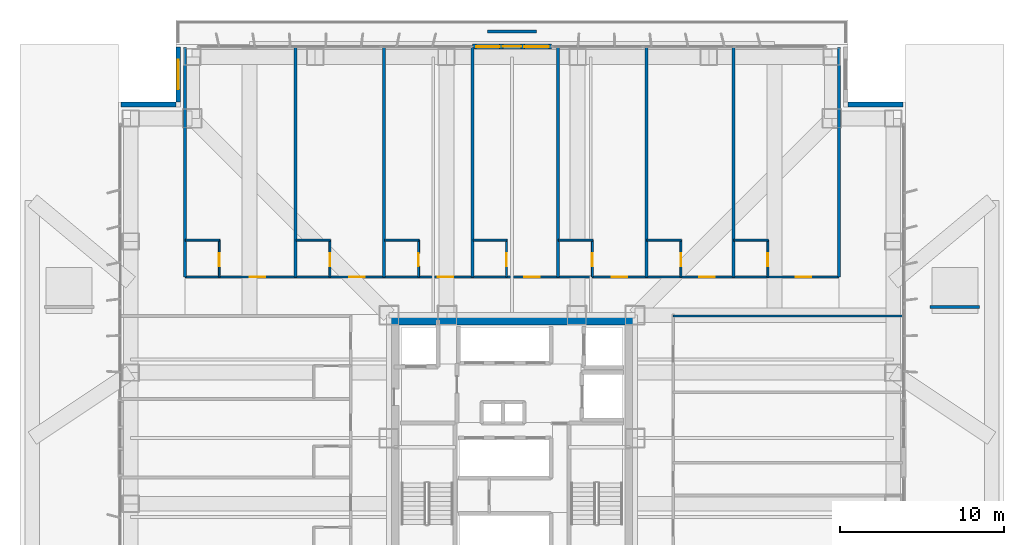
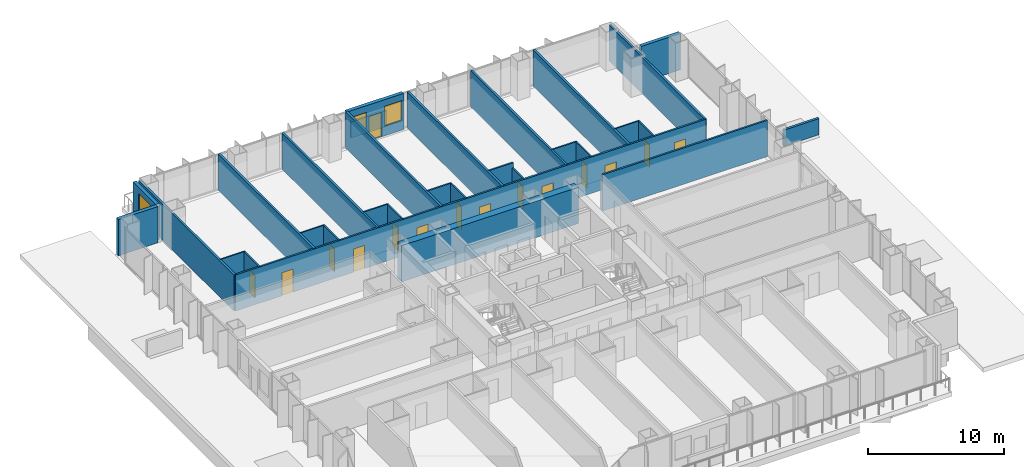
# One storey, part 18 of 24: 31 walls, 15 doors, 3 windows, 18 openings.
"""IFC4 building model written with IfcOpenShell, lengths in metres."""

import ifcopenshell
import ifcopenshell.guid

model = None  # the IFC model being written
_history = None  # IfcOwnerHistory: only IFC2X3 demands one
_inside = {}  # id of a spatial element -> (the spatial element, [elements in it])
_under = {}  # id of a project, library or spatial element -> (it, [spatial elements below it])
_declared = {}  # id of a project -> (the project, [libraries it declares])
_typed = {}  # id of a type object -> (the type object, [elements of that type])
_made_of = {}  # id of a material, layer set ... -> (it, [elements and type objects made of it])


def new_model(schema):
    """Start an empty IFC model of exactly this schema.

    Asked for "IFC4X3", IfcOpenShell would pick the latest addendum, in which some entities
    have other attributes; the version numbers below select the first issue.
    IFC2X3 requires an IfcOwnerHistory on every rooted entity: one is made here for all.
    """
    global model, _history
    if schema == "IFC4X3":
        model = ifcopenshell.file(schema_version=(4, 3, 0, 0))
    else:
        model = ifcopenshell.file(schema=schema)
    _inside.clear()
    _under.clear()
    _declared.clear()
    _typed.clear()
    _made_of.clear()
    _history = None
    if model.schema == "IFC2X3":
        org = make("IfcOrganization", Name="unknown")
        user = make(
            "IfcPersonAndOrganization",
            ThePerson=make("IfcPerson", FamilyName="unknown"),
            TheOrganization=org,
        )
        app = make(
            "IfcApplication",
            ApplicationDeveloper=org,
            Version="unknown",
            ApplicationFullName="unknown",
            ApplicationIdentifier="unknown",
        )
        _history = make(
            "IfcOwnerHistory",
            OwningUser=user,
            OwningApplication=app,
            ChangeAction="ADDED",
            CreationDate=0,
        )
    return model


def make(cls, **values):
    """One entity of the class cls with the attributes given. An attribute that is None is left unset."""
    return model.create_entity(
        cls, **{name: value for name, value in values.items() if value is not None}
    )


def rooted(cls, **values):
    """An entity with a GlobalId (a new one), such as an element, a storey or a relation."""
    return make(cls, GlobalId=ifcopenshell.guid.new(), OwnerHistory=_history, **values)


def si_unit(unit_type, name, prefix=None):
    """IfcSIUnit, for example si_unit("LENGTHUNIT", "METRE", prefix="MILLI")."""
    return make("IfcSIUnit", UnitType=unit_type, Prefix=prefix, Name=name)


def assignment(units):
    """IfcUnitAssignment: the units of a project."""
    return None if units is None else make("IfcUnitAssignment", Units=units)


def point(xyz):
    """IfcCartesianPoint."""
    return None if xyz is None else make("IfcCartesianPoint", Coordinates=xyz)


def direction(xyz):
    """IfcDirection."""
    return None if xyz is None else make("IfcDirection", DirectionRatios=xyz)


def frame(location, z_axis=None, x_axis=None):
    """IfcAxis2Placement3D, a coordinate frame: its origin and axes. An axis left out is left unset."""
    return make(
        "IfcAxis2Placement3D",
        Location=point(location),
        Axis=direction(z_axis),
        RefDirection=direction(x_axis),
    )


def frame_2d(location, x_axis=None):
    """IfcAxis2Placement2D, a coordinate frame in the plane: its origin and x axis."""
    return make(
        "IfcAxis2Placement2D", Location=point(location), RefDirection=direction(x_axis)
    )


def origin():
    """The frame at (0, 0, 0) with its axes left unset."""
    return frame((0.0, 0.0, 0.0))


def place(relative_to, where):
    """IfcLocalPlacement: puts the frame where relative to a parent placement (None: the world)."""
    return make(
        "IfcLocalPlacement", PlacementRelTo=relative_to, RelativePlacement=where
    )


def context(
    kind, dimensions, precision=None, world=None, true_north=None, identifier=None
):
    """IfcGeometricRepresentationContext, for example the 3D "Model" context."""
    return make(
        "IfcGeometricRepresentationContext",
        ContextIdentifier=identifier,
        ContextType=kind,
        CoordinateSpaceDimension=dimensions,
        Precision=precision,
        WorldCoordinateSystem=world,
        TrueNorth=true_north,
    )


def subcontext(parent, identifier, kind, view, scale=None):
    """IfcGeometricRepresentationSubContext, for example "Body" below "Model"."""
    return make(
        "IfcGeometricRepresentationSubContext",
        ContextIdentifier=identifier,
        ContextType=kind,
        ParentContext=parent,
        TargetScale=scale,
        TargetView=view,
    )


def project(units=None, contexts=None):
    """IfcProject with its units and contexts."""
    return rooted(
        "IfcProject",
        Name="project",
        RepresentationContexts=contexts,
        UnitsInContext=assignment(units),
    )


def spatial(cls, under=None, at=None, **own):
    """A site, building, storey or space (cls), placed at a placement, below another one or the project."""
    s = rooted(cls, ObjectPlacement=at, **own)
    if under is not None:
        _under.setdefault(under.id(), (under, []))[1].append(s)
    return s


def profile(cls, at=None, kind="AREA", **sizes):
    """A parametric profile (cls). Its sizes go by their IFC names, for example OverallWidth=200.0."""
    return make(cls, ProfileType=kind, Position=at, **sizes)


def rectangle(**sizes):
    """IfcRectangleProfileDef."""
    return profile("IfcRectangleProfileDef", **sizes)


def extrude(swept, where, along, depth):
    """IfcExtrudedAreaSolid: the profile swept, set in the frame where, extruded along a direction by depth."""
    return make(
        "IfcExtrudedAreaSolid",
        SweptArea=swept,
        Position=where,
        ExtrudedDirection=direction(along),
        Depth=depth,
    )


def shape(context_of_items, identifier, shape_type, items):
    """IfcShapeRepresentation: the items that make up one representation, for example the "Body"."""
    return make(
        "IfcShapeRepresentation",
        ContextOfItems=context_of_items,
        RepresentationIdentifier=identifier,
        RepresentationType=shape_type,
        Items=items,
    )


def material(Name=None, Category=None):
    """IfcMaterial."""
    return make("IfcMaterial", Name=Name, Category=Category)


def layer(
    of_material, thickness, ventilated=None, Name=None, Category=None, Priority=None
):
    """IfcMaterialLayer: one layer of a wall or slab, of a material (None: an air gap)."""
    return make(
        "IfcMaterialLayer",
        Material=of_material,
        LayerThickness=thickness,
        IsVentilated=ventilated,
        Name=Name,
        Category=Category,
        Priority=Priority,
    )


def layer_set(layers, Name=None):
    """IfcMaterialLayerSet."""
    return make("IfcMaterialLayerSet", MaterialLayers=layers, LayerSetName=Name)


def made_of(thing, what):
    """Note that an element or type object is made of a material, layer set ...; save() writes the relation."""
    if what is not None:
        _made_of.setdefault(what.id(), (what, []))[1].append(thing)
    return thing


def type_object(cls, material=None, **own):
    """A type object (cls), such as IfcWallType, which elements share."""
    return made_of(rooted(cls, **own), material)


def element(
    cls,
    number,
    at=None,
    inside=None,
    cuts=None,
    type_object=None,
    material=None,
    context=None,
    identifier="Body",
    shape_type=None,
    held_by="IfcProductDefinitionShape",
    body=None,
    shapes=None,
    **own,
):
    """One element of the class cls, such as IfcWall. Its Tag is "e" and its number.

    at: its placement. inside: the storey or other place that contains it. cuts: it is an
    opening in that element (IfcRelVoidsElement). A single representation is given by context,
    identifier, shape_type and body (its items); several are given by shapes. held_by: the class
    of the entity that holds the representations. save() writes the other relations.
    """
    e = rooted(cls, Tag="e%d" % number, ObjectPlacement=at, **own)
    if body is not None:
        shapes = [shape(context, identifier, shape_type, body)]
    if shapes is not None:
        e.Representation = make(held_by, Representations=shapes)
    if inside is not None:
        _inside.setdefault(inside.id(), (inside, []))[1].append(e)
    if cuts is not None:
        rooted(
            "IfcRelVoidsElement", RelatingBuildingElement=cuts, RelatedOpeningElement=e
        )
    if type_object is not None:
        _typed.setdefault(type_object.id(), (type_object, []))[1].append(e)
    return made_of(e, material)


def fill(opening, filler):
    """IfcRelFillsElement: the door or window that sits in an opening."""
    return rooted(
        "IfcRelFillsElement",
        RelatingOpeningElement=opening,
        RelatedBuildingElement=filler,
    )


def aggregate(whole, parts):
    """IfcRelAggregates: a whole, such as a stair, and the parts it consists of."""
    return rooted("IfcRelAggregates", RelatingObject=whole, RelatedObjects=parts)


def save(model, path):
    """Write the relations noted so far, then the file.

    IfcRelAggregates (storeys below a building ...), IfcRelContainedInSpatialStructure (elements
    in a storey), IfcRelDefinesByType, IfcRelAssociatesMaterial and IfcRelDeclares: one each for
    every whole, place, type object, material and project.
    """
    for whole, parts in _under.values():
        aggregate(whole, parts)
    for where, things in _inside.values():
        rooted(
            "IfcRelContainedInSpatialStructure",
            RelatedElements=things,
            RelatingStructure=where,
        )
    for kind, things in _typed.values():
        rooted("IfcRelDefinesByType", RelatedObjects=things, RelatingType=kind)
    for what, things in _made_of.values():
        rooted("IfcRelAssociatesMaterial", RelatedObjects=things, RelatingMaterial=what)
    for by, libraries in _declared.values():
        rooted("IfcRelDeclares", RelatingContext=by, RelatedDefinitions=libraries)
    model.write(path)


model = new_model("IFC4")

# Units and contexts
model_context = context("Model", 3, precision=1e-05, world=origin(), true_north=direction((0.0, 1.0)))
body_context = subcontext(model_context, "Body", "Model", "MODEL_VIEW")
ifc_project = project(units=[si_unit("LENGTHUNIT", "METRE"), si_unit("AREAUNIT", "SQUARE_METRE"), si_unit("VOLUMEUNIT", "CUBIC_METRE"), si_unit("PLANEANGLEUNIT", "RADIAN"), si_unit("MASSUNIT", "GRAM", prefix="KILO")], contexts=[model_context])

# Site, building, storey
site_placement = place(None, origin())
site = spatial("IfcSite", under=ifc_project, at=site_placement, CompositionType="ELEMENT")
building_placement = place(site_placement, origin())
building = spatial("IfcBuilding", under=site, at=building_placement, Name="Trevonay Congress Spire", CompositionType="ELEMENT")
storey_placement = place(building_placement, frame((0.0, 0.0, 27.0)))
storey = spatial("IfcBuildingStorey", under=building, at=storey_placement, Name="L05", CompositionType="ELEMENT", Elevation=27.0)

# Wall, opening, door
ifc_material_1 = material(Name="Concrete C40/50", Category="concrete")
ifc_layer_1 = layer(ifc_material_1, 0.1201171875, Name="Concrete C40/50")
ifc_layer_set_1 = layer_set([ifc_layer_1], Name="Concrete C40/50")
wall_type_1 = type_object("IfcWallType", Name="WAL-BATH-120", PredefinedType="PLUMBINGWALL", material=ifc_layer_set_1)
wall_1_placement = place(storey_placement, frame((-17.85009765625, 9.830078125, 0.0), z_axis=(0.0, 0.0, 1.0), x_axis=(0.0, 1.0, 0.0)))
wall_1 = element("IfcWall", 1, at=wall_1_placement, inside=storey, type_object=wall_type_1, Name="L05 interior wall WH-L05N-BS1", PredefinedType="PLUMBINGWALL", context=body_context, shape_type="SweptSolid", body=[
    extrude(rectangle(XDim=2.25, YDim=0.1201171875, at=frame_2d((1.125, 0.0))), origin(), (0.0, 0.0, 1.0), 3.25),
])
opening_1_placement = place(wall_1_placement, frame((0.64990234375, 0.0, 0.0)))
opening_1 = element("IfcOpeningElement", 2, at=opening_1_placement, cuts=wall_1, Name="Opening D11", PredefinedType="OPENING", context=body_context, shape_type="SweptSolid", body=[
    extrude(rectangle(XDim=0.800048828125, YDim=2.050048828125, at=frame_2d((0.39990234375, 1.02490234375))), frame((0.0, 0.070068359375, 0.0), z_axis=(0.0, -1.0, 0.0), x_axis=(1.0, 0.0, 0.0)), (0.0, 0.0, 1.0), 0.14013671875),
])
ifc_material_2 = material(Name="Pale Anodised Aluminium EN AW-6063-T6", Category="aluminium")
door_type_1 = type_object("IfcDoorType", Name="DOR-BATH-80", OperationType="NOTDEFINED", PredefinedType="DOOR", material=ifc_material_2)
door_1_placement = place(opening_1_placement, origin())
door_1 = element("IfcDoor", 3, at=door_1_placement, inside=storey, type_object=door_type_1, Name="L05 En-suite Bathroom Door", OperationType="SINGLE_SWING_RIGHT", OverallHeight=2.050048828125, OverallWidth=0.800048828125, PredefinedType="DOOR", context=body_context, shape_type="SweptSolid", body=[
    extrude(rectangle(XDim=0.800048828125, YDim=2.050048828125, at=frame_2d((0.39990234375, 1.02490234375))), frame((0.0, 0.02490234375, 0.0), z_axis=(0.0, -1.0, 0.0), x_axis=(1.0, 0.0, 0.0)), (0.0, 0.0, 1.0), 0.050048828125),
])
fill(opening_1, door_1)

# Wall
wall_2_placement = place(storey_placement, frame((-19.919921875, 12.080078125, 0.0), z_axis=(0.0, 0.0, 1.0), x_axis=(1.0, 0.0, 0.0)))
element("IfcWall", 4, at=wall_2_placement, inside=storey, type_object=wall_type_1, Name="L05 interior wall WH-L05N-BF1", PredefinedType="PLUMBINGWALL", context=body_context, shape_type="SweptSolid", body=[
    extrude(rectangle(XDim=2.099853515625, YDim=0.1201171875, at=frame_2d((1.0498046875, 0.0))), origin(), (0.0, 0.0, 1.0), 3.25),
])

# Wall, opening, door
wall_3_placement = place(storey_placement, frame((-11.10009765625, 9.830078125, 0.0), z_axis=(0.0, 0.0, 1.0), x_axis=(0.0, 1.0, 0.0)))
wall_3 = element("IfcWall", 5, at=wall_3_placement, inside=storey, type_object=wall_type_1, Name="L05 interior wall WH-L05N-BS2", PredefinedType="PLUMBINGWALL", context=body_context, shape_type="SweptSolid", body=[
    extrude(rectangle(XDim=2.25, YDim=0.1201171875, at=frame_2d((1.125, 0.0))), origin(), (0.0, 0.0, 1.0), 3.25),
])
opening_2_placement = place(wall_3_placement, frame((0.64990234375, 0.0, 0.0)))
opening_2 = element("IfcOpeningElement", 6, at=opening_2_placement, cuts=wall_3, Name="Opening D11", PredefinedType="OPENING", context=body_context, shape_type="SweptSolid", body=[
    extrude(rectangle(XDim=0.800048828125, YDim=2.050048828125, at=frame_2d((0.39990234375, 1.02490234375))), frame((0.0, 0.070068359375, 0.0), z_axis=(0.0, -1.0, 0.0), x_axis=(1.0, 0.0, 0.0)), (0.0, 0.0, 1.0), 0.14013671875),
])
door_2_placement = place(opening_2_placement, origin())
door_2 = element("IfcDoor", 7, at=door_2_placement, inside=storey, type_object=door_type_1, Name="L05 En-suite Bathroom Door", OperationType="SINGLE_SWING_LEFT", OverallHeight=2.050048828125, OverallWidth=0.800048828125, PredefinedType="DOOR", context=body_context, shape_type="SweptSolid", body=[
    extrude(rectangle(XDim=0.800048828125, YDim=2.050048828125, at=frame_2d((0.39990234375, 1.02490234375))), frame((0.0, 0.02490234375, 0.0), z_axis=(0.0, -1.0, 0.0), x_axis=(1.0, 0.0, 0.0)), (0.0, 0.0, 1.0), 0.050048828125),
])
fill(opening_2, door_2)

# Wall
wall_4_placement = place(storey_placement, frame((-13.169921875, 12.080078125, 0.0), z_axis=(0.0, 0.0, 1.0), x_axis=(1.0, 0.0, 0.0)))
element("IfcWall", 8, at=wall_4_placement, inside=storey, type_object=wall_type_1, Name="L05 interior wall WH-L05N-BF2", PredefinedType="PLUMBINGWALL", context=body_context, shape_type="SweptSolid", body=[
    extrude(rectangle(XDim=2.099853515625, YDim=0.1201171875, at=frame_2d((1.0498046875, 0.0))), origin(), (0.0, 0.0, 1.0), 3.25),
])

# Wall, opening, door
wall_5_placement = place(storey_placement, frame((-5.699951171875, 9.830078125, 0.0), z_axis=(0.0, 0.0, 1.0), x_axis=(0.0, 1.0, 0.0)))
wall_5 = element("IfcWall", 9, at=wall_5_placement, inside=storey, type_object=wall_type_1, Name="L05 interior wall WH-L05N-BS3", PredefinedType="PLUMBINGWALL", context=body_context, shape_type="SweptSolid", body=[
    extrude(rectangle(XDim=2.25, YDim=0.1201171875, at=frame_2d((1.125, 0.0))), origin(), (0.0, 0.0, 1.0), 3.25),
])
opening_3_placement = place(wall_5_placement, frame((0.64990234375, 0.0, 0.0)))
opening_3 = element("IfcOpeningElement", 10, at=opening_3_placement, cuts=wall_5, Name="Opening D11", PredefinedType="OPENING", context=body_context, shape_type="SweptSolid", body=[
    extrude(rectangle(XDim=0.800048828125, YDim=2.050048828125, at=frame_2d((0.39990234375, 1.02490234375))), frame((0.0, 0.070068359375, 0.0), z_axis=(0.0, -1.0, 0.0), x_axis=(1.0, 0.0, 0.0)), (0.0, 0.0, 1.0), 0.14013671875),
])
door_3_placement = place(opening_3_placement, origin())
door_3 = element("IfcDoor", 11, at=door_3_placement, inside=storey, type_object=door_type_1, Name="L05 En-suite Bathroom Door", OperationType="SINGLE_SWING_RIGHT", OverallHeight=2.050048828125, OverallWidth=0.800048828125, PredefinedType="DOOR", context=body_context, shape_type="SweptSolid", body=[
    extrude(rectangle(XDim=0.800048828125, YDim=2.050048828125, at=frame_2d((0.39990234375, 1.02490234375))), frame((0.0, 0.02490234375, 0.0), z_axis=(0.0, -1.0, 0.0), x_axis=(1.0, 0.0, 0.0)), (0.0, 0.0, 1.0), 0.050048828125),
])
fill(opening_3, door_3)

# Wall
wall_6_placement = place(storey_placement, frame((-7.77001953125, 12.080078125, 0.0), z_axis=(0.0, 0.0, 1.0), x_axis=(1.0, 0.0, 0.0)))
element("IfcWall", 12, at=wall_6_placement, inside=storey, type_object=wall_type_1, Name="L05 interior wall WH-L05N-BF3", PredefinedType="PLUMBINGWALL", context=body_context, shape_type="SweptSolid", body=[
    extrude(rectangle(XDim=2.10009765625, YDim=0.1201171875, at=frame_2d((1.050048828125, 0.0))), origin(), (0.0, 0.0, 1.0), 3.25),
])

# Wall, opening, door
wall_7_placement = place(storey_placement, frame((-0.3349609375, 9.830078125, 0.0), z_axis=(0.0, 0.0, 1.0), x_axis=(0.0, 1.0, 0.0)))
wall_7 = element("IfcWall", 13, at=wall_7_placement, inside=storey, type_object=wall_type_1, Name="L05 interior wall WH-L05N-BS4", PredefinedType="PLUMBINGWALL", context=body_context, shape_type="SweptSolid", body=[
    extrude(rectangle(XDim=2.25, YDim=0.1201171875, at=frame_2d((1.125, 0.0))), origin(), (0.0, 0.0, 1.0), 3.25),
])
opening_4_placement = place(wall_7_placement, frame((0.64990234375, 0.0, 0.0)))
opening_4 = element("IfcOpeningElement", 14, at=opening_4_placement, cuts=wall_7, Name="Opening D11", PredefinedType="OPENING", context=body_context, shape_type="SweptSolid", body=[
    extrude(rectangle(XDim=0.800048828125, YDim=2.050048828125, at=frame_2d((0.39990234375, 1.02490234375))), frame((0.0, 0.070068359375, 0.0), z_axis=(0.0, -1.0, 0.0), x_axis=(1.0, 0.0, 0.0)), (0.0, 0.0, 1.0), 0.14013671875),
])
door_4_placement = place(opening_4_placement, origin())
door_4 = element("IfcDoor", 15, at=door_4_placement, inside=storey, type_object=door_type_1, Name="L05 En-suite Bathroom Door", OperationType="SINGLE_SWING_LEFT", OverallHeight=2.050048828125, OverallWidth=0.800048828125, PredefinedType="DOOR", context=body_context, shape_type="SweptSolid", body=[
    extrude(rectangle(XDim=0.800048828125, YDim=2.050048828125, at=frame_2d((0.39990234375, 1.02490234375))), frame((0.0, 0.02490234375, 0.0), z_axis=(0.0, -1.0, 0.0), x_axis=(1.0, 0.0, 0.0)), (0.0, 0.0, 1.0), 0.050048828125),
])
fill(opening_4, door_4)

# Wall
wall_8_placement = place(storey_placement, frame((-2.3701171875, 12.080078125, 0.0), z_axis=(0.0, 0.0, 1.0), x_axis=(1.0, 0.0, 0.0)))
element("IfcWall", 16, at=wall_8_placement, inside=storey, type_object=wall_type_1, Name="L05 interior wall WH-L05N-BF4", PredefinedType="PLUMBINGWALL", context=body_context, shape_type="SweptSolid", body=[
    extrude(rectangle(XDim=2.065185546875, YDim=0.1201171875, at=frame_2d((1.03271484375, 0.0))), origin(), (0.0, 0.0, 1.0), 3.25),
])

# Wall, opening, door
wall_9_placement = place(storey_placement, frame((4.89990234375, 9.830078125, 0.0), z_axis=(0.0, 0.0, 1.0), x_axis=(0.0, 1.0, 0.0)))
wall_9 = element("IfcWall", 17, at=wall_9_placement, inside=storey, type_object=wall_type_1, Name="L05 interior wall WH-L05N-BS5", PredefinedType="PLUMBINGWALL", context=body_context, shape_type="SweptSolid", body=[
    extrude(rectangle(XDim=2.25, YDim=0.1201171875, at=frame_2d((1.125, 0.0))), origin(), (0.0, 0.0, 1.0), 2.818115234375),
])
opening_5_placement = place(wall_9_placement, frame((0.64990234375, 0.0, 0.0)))
opening_5 = element("IfcOpeningElement", 18, at=opening_5_placement, cuts=wall_9, Name="Opening D11", PredefinedType="OPENING", context=body_context, shape_type="SweptSolid", body=[
    extrude(rectangle(XDim=0.800048828125, YDim=2.050048828125, at=frame_2d((0.39990234375, 1.02490234375))), frame((0.0, 0.070068359375, 0.0), z_axis=(0.0, -1.0, 0.0), x_axis=(1.0, 0.0, 0.0)), (0.0, 0.0, 1.0), 0.14013671875),
])
door_5_placement = place(opening_5_placement, origin())
door_5 = element("IfcDoor", 19, at=door_5_placement, inside=storey, type_object=door_type_1, Name="L05 En-suite Bathroom Door", OperationType="SINGLE_SWING_RIGHT", OverallHeight=2.050048828125, OverallWidth=0.800048828125, PredefinedType="DOOR", context=body_context, shape_type="SweptSolid", body=[
    extrude(rectangle(XDim=0.800048828125, YDim=2.050048828125, at=frame_2d((0.39990234375, 1.02490234375))), frame((0.0, 0.02490234375, 0.0), z_axis=(0.0, -1.0, 0.0), x_axis=(1.0, 0.0, 0.0)), (0.0, 0.0, 1.0), 0.050048828125),
])
fill(opening_5, door_5)

# Wall
wall_10_placement = place(storey_placement, frame((2.830078125, 12.080078125, 0.0), z_axis=(0.0, 0.0, 1.0), x_axis=(1.0, 0.0, 0.0)))
element("IfcWall", 20, at=wall_10_placement, inside=storey, type_object=wall_type_1, Name="L05 interior wall WH-L05N-BF5", PredefinedType="PLUMBINGWALL", context=body_context, shape_type="SweptSolid", body=[
    extrude(rectangle(XDim=2.099853515625, YDim=0.1201171875, at=frame_2d((1.0498046875, 0.0))), origin(), (0.0, 0.0, 1.0), 3.25),
])

# Wall, opening, door
wall_11_placement = place(storey_placement, frame((10.300048828125, 9.830078125, 0.0), z_axis=(0.0, 0.0, 1.0), x_axis=(0.0, 1.0, 0.0)))
wall_11 = element("IfcWall", 21, at=wall_11_placement, inside=storey, type_object=wall_type_1, Name="L05 interior wall WH-L05N-BS6", PredefinedType="PLUMBINGWALL", context=body_context, shape_type="SweptSolid", body=[
    extrude(rectangle(XDim=2.25, YDim=0.1201171875, at=frame_2d((1.125, 0.0))), origin(), (0.0, 0.0, 1.0), 3.25),
])
opening_6_placement = place(wall_11_placement, frame((0.64990234375, 0.0, 0.0)))
opening_6 = element("IfcOpeningElement", 22, at=opening_6_placement, cuts=wall_11, Name="Opening D11", PredefinedType="OPENING", context=body_context, shape_type="SweptSolid", body=[
    extrude(rectangle(XDim=0.800048828125, YDim=2.050048828125, at=frame_2d((0.39990234375, 1.02490234375))), frame((0.0, 0.070068359375, 0.0), z_axis=(0.0, -1.0, 0.0), x_axis=(1.0, 0.0, 0.0)), (0.0, 0.0, 1.0), 0.14013671875),
])
door_6_placement = place(opening_6_placement, origin())
door_6 = element("IfcDoor", 23, at=door_6_placement, inside=storey, type_object=door_type_1, Name="L05 En-suite Bathroom Door", OperationType="SINGLE_SWING_LEFT", OverallHeight=2.050048828125, OverallWidth=0.800048828125, PredefinedType="DOOR", context=body_context, shape_type="SweptSolid", body=[
    extrude(rectangle(XDim=0.800048828125, YDim=2.050048828125, at=frame_2d((0.39990234375, 1.02490234375))), frame((0.0, 0.02490234375, 0.0), z_axis=(0.0, -1.0, 0.0), x_axis=(1.0, 0.0, 0.0)), (0.0, 0.0, 1.0), 0.050048828125),
])
fill(opening_6, door_6)

# Wall
wall_12_placement = place(storey_placement, frame((8.22998046875, 12.080078125, 0.0), z_axis=(0.0, 0.0, 1.0), x_axis=(1.0, 0.0, 0.0)))
element("IfcWall", 24, at=wall_12_placement, inside=storey, type_object=wall_type_1, Name="L05 interior wall WH-L05N-BF6", PredefinedType="PLUMBINGWALL", context=body_context, shape_type="SweptSolid", body=[
    extrude(rectangle(XDim=2.10009765625, YDim=0.1201171875, at=frame_2d((1.050048828125, 0.0))), origin(), (0.0, 0.0, 1.0), 3.25),
])

# Wall, opening, door
wall_13_placement = place(storey_placement, frame((15.60009765625, 9.830078125, 0.0), z_axis=(0.0, 0.0, 1.0), x_axis=(0.0, 1.0, 0.0)))
wall_13 = element("IfcWall", 25, at=wall_13_placement, inside=storey, type_object=wall_type_1, Name="L05 interior wall WH-L05N-BS7", PredefinedType="PLUMBINGWALL", context=body_context, shape_type="SweptSolid", body=[
    extrude(rectangle(XDim=2.25, YDim=0.1201171875, at=frame_2d((1.125, 0.0))), origin(), (0.0, 0.0, 1.0), 3.25),
])
opening_7_placement = place(wall_13_placement, frame((0.64990234375, 0.0, 0.0)))
opening_7 = element("IfcOpeningElement", 26, at=opening_7_placement, cuts=wall_13, Name="Opening D11", PredefinedType="OPENING", context=body_context, shape_type="SweptSolid", body=[
    extrude(rectangle(XDim=0.800048828125, YDim=2.050048828125, at=frame_2d((0.39990234375, 1.02490234375))), frame((0.0, 0.070068359375, 0.0), z_axis=(0.0, -1.0, 0.0), x_axis=(1.0, 0.0, 0.0)), (0.0, 0.0, 1.0), 0.14013671875),
])
door_7_placement = place(opening_7_placement, origin())
door_7 = element("IfcDoor", 27, at=door_7_placement, inside=storey, type_object=door_type_1, Name="L05 En-suite Bathroom Door", OperationType="SINGLE_SWING_RIGHT", OverallHeight=2.050048828125, OverallWidth=0.800048828125, PredefinedType="DOOR", context=body_context, shape_type="SweptSolid", body=[
    extrude(rectangle(XDim=0.800048828125, YDim=2.050048828125, at=frame_2d((0.39990234375, 1.02490234375))), frame((0.0, 0.02490234375, 0.0), z_axis=(0.0, -1.0, 0.0), x_axis=(1.0, 0.0, 0.0)), (0.0, 0.0, 1.0), 0.050048828125),
])
fill(opening_7, door_7)

# Walls
wall_14_placement = place(storey_placement, frame((13.530029296875, 12.080078125, 0.0), z_axis=(0.0, 0.0, 1.0), x_axis=(1.0, 0.0, 0.0)))
element("IfcWall", 28, at=wall_14_placement, inside=storey, type_object=wall_type_1, Name="L05 interior wall WH-L05N-BF7", PredefinedType="PLUMBINGWALL", context=body_context, shape_type="SweptSolid", body=[
    extrude(rectangle(XDim=2.099853515625, YDim=0.1201171875, at=frame_2d((1.0498046875, 0.0))), origin(), (0.0, 0.0, 1.0), 3.25),
])
ifc_material_3 = material(Name="Concrete C60/75", Category="concrete")
ifc_layer_2 = layer(ifc_material_3, 0.60009765625, Name="Concrete C60/75")
ifc_layer_set_2 = layer_set([ifc_layer_2], Name="Concrete C60/75")
wall_type_2 = type_object("IfcWallType", Name="WAL-CORE-600", PredefinedType="SHEAR", material=ifc_layer_set_2)
wall_15_placement = place(storey_placement, frame((-7.5, 7.199951171875, 0.0), z_axis=(0.0, 0.0, 1.0), x_axis=(1.0, 0.0, 0.0)))
element("IfcWall", 29, at=wall_15_placement, inside=storey, type_object=wall_type_2, Name="L05 North structural core shear wall", PredefinedType="SHEAR", context=body_context, shape_type="SweptSolid", body=[
    extrude(rectangle(XDim=15.0, YDim=0.60009765625, at=frame_2d((7.5, 0.0))), origin(), (0.0, 0.0, 1.0), 3.25),
])

# Wall, openings, doors
ifc_layer_3 = layer(ifc_material_1, 0.14990234375, Name="Concrete C40/50")
ifc_layer_set_3 = layer_set([ifc_layer_3], Name="Concrete C40/50")
wall_type_3 = type_object("IfcWallType", Name="WAL-CORR-150", PredefinedType="PARTITIONING", material=ifc_layer_set_3)
wall_16_placement = place(storey_placement, frame((-19.949951171875, 9.830078125, 0.0), z_axis=(0.0, 0.0, 1.0), x_axis=(1.0, 0.0, 0.0)))
wall_16 = element("IfcWall", 30, at=wall_16_placement, inside=storey, type_object=wall_type_3, Name="L05 interior wall WH-L05N-COR", PredefinedType="PARTITIONING", context=body_context, shape_type="SweptSolid", body=[
    extrude(rectangle(XDim=39.89990234375, YDim=0.14990234375, at=frame_2d((19.949951171875, 0.0))), origin(), (0.0, 0.0, 1.0), 3.25),
])
opening_8_placement = place(wall_16_placement, frame((3.945068359375, 0.0, 0.0)))
opening_8 = element("IfcOpeningElement", 31, at=opening_8_placement, cuts=wall_16, Name="Opening D08", PredefinedType="OPENING", context=body_context, shape_type="SweptSolid", body=[
    extrude(rectangle(XDim=0.949951171875, YDim=2.080078125, at=frame_2d((0.47509765625, 1.0400390625))), frame((0.0, 0.0849609375, 0.0), z_axis=(0.0, -1.0, 0.0), x_axis=(1.0, 0.0, 0.0)), (0.0, 0.0, 1.0), 0.169921875),
])
opening_9_placement = place(wall_16_placement, frame((10.02001953125, 0.0, 0.0)))
opening_9 = element("IfcOpeningElement", 32, at=opening_9_placement, cuts=wall_16, Name="Opening D08", PredefinedType="OPENING", context=body_context, shape_type="SweptSolid", body=[
    extrude(rectangle(XDim=0.949951171875, YDim=2.080078125, at=frame_2d((0.47509765625, 1.0400390625))), frame((0.0, 0.0849609375, 0.0), z_axis=(0.0, -1.0, 0.0), x_axis=(1.0, 0.0, 0.0)), (0.0, 0.0, 1.0), 0.169921875),
])
opening_10_placement = place(wall_16_placement, frame((15.419921875, 0.0, 0.0)))
opening_10 = element("IfcOpeningElement", 33, at=opening_10_placement, cuts=wall_16, Name="Opening D08", PredefinedType="OPENING", context=body_context, shape_type="SweptSolid", body=[
    extrude(rectangle(XDim=0.949951171875, YDim=2.080078125, at=frame_2d((0.47509765625, 1.0400390625))), frame((0.0, 0.0849609375, 0.0), z_axis=(0.0, -1.0, 0.0), x_axis=(1.0, 0.0, 0.0)), (0.0, 0.0, 1.0), 0.169921875),
])
opening_11_placement = place(wall_16_placement, frame((20.702392578125, 0.0, 0.0)))
opening_11 = element("IfcOpeningElement", 34, at=opening_11_placement, cuts=wall_16, Name="Opening D08", PredefinedType="OPENING", context=body_context, shape_type="SweptSolid", body=[
    extrude(rectangle(XDim=0.949951171875, YDim=2.080078125, at=frame_2d((0.47509765625, 1.0400390625))), frame((0.0, 0.0849609375, 0.0), z_axis=(0.0, -1.0, 0.0), x_axis=(1.0, 0.0, 0.0)), (0.0, 0.0, 1.0), 0.169921875),
])
opening_12_placement = place(wall_16_placement, frame((26.02001953125, 0.0, 0.0)))
opening_12 = element("IfcOpeningElement", 35, at=opening_12_placement, cuts=wall_16, Name="Opening D08", PredefinedType="OPENING", context=body_context, shape_type="SweptSolid", body=[
    extrude(rectangle(XDim=0.949951171875, YDim=2.080078125, at=frame_2d((0.47509765625, 1.0400390625))), frame((0.0, 0.0849609375, 0.0), z_axis=(0.0, -1.0, 0.0), x_axis=(1.0, 0.0, 0.0)), (0.0, 0.0, 1.0), 0.169921875),
])
opening_13_placement = place(wall_16_placement, frame((31.3701171875, 0.0, 0.0)))
opening_13 = element("IfcOpeningElement", 36, at=opening_13_placement, cuts=wall_16, Name="Opening D08", PredefinedType="OPENING", context=body_context, shape_type="SweptSolid", body=[
    extrude(rectangle(XDim=0.949951171875, YDim=2.080078125, at=frame_2d((0.47509765625, 1.0400390625))), frame((0.0, 0.0849609375, 0.0), z_axis=(0.0, -1.0, 0.0), x_axis=(1.0, 0.0, 0.0)), (0.0, 0.0, 1.0), 0.169921875),
])
opening_14_placement = place(wall_16_placement, frame((37.2451171875, 0.0, 0.0)))
opening_14 = element("IfcOpeningElement", 37, at=opening_14_placement, cuts=wall_16, Name="Opening D08", PredefinedType="OPENING", context=body_context, shape_type="SweptSolid", body=[
    extrude(rectangle(XDim=0.949951171875, YDim=2.080078125, at=frame_2d((0.47509765625, 1.0400390625))), frame((0.0, 0.0849609375, 0.0), z_axis=(0.0, -1.0, 0.0), x_axis=(1.0, 0.0, 0.0)), (0.0, 0.0, 1.0), 0.169921875),
])
door_type_2 = type_object("IfcDoorType", Name="DOR-SUITE-95", OperationType="NOTDEFINED", PredefinedType="DOOR", material=ifc_material_2)
door_8_placement = place(opening_8_placement, origin())
door_8 = element("IfcDoor", 38, at=door_8_placement, inside=storey, type_object=door_type_2, Name="L05 Corner Hotel Suite Entrance Door", OperationType="SINGLE_SWING_LEFT", OverallHeight=2.080078125, OverallWidth=0.949951171875, PredefinedType="DOOR", context=body_context, shape_type="SweptSolid", body=[
    extrude(rectangle(XDim=0.949951171875, YDim=2.080078125, at=frame_2d((0.47509765625, 1.0400390625))), frame((0.0, 0.02490234375, 0.0), z_axis=(0.0, -1.0, 0.0), x_axis=(1.0, 0.0, 0.0)), (0.0, 0.0, 1.0), 0.050048828125),
])
fill(opening_8, door_8)
door_9_placement = place(opening_9_placement, origin())
door_9 = element("IfcDoor", 39, at=door_9_placement, inside=storey, type_object=door_type_2, Name="L05 Hotel Guest Room Entrance Door", OperationType="SINGLE_SWING_RIGHT", OverallHeight=2.080078125, OverallWidth=0.949951171875, PredefinedType="DOOR", context=body_context, shape_type="SweptSolid", body=[
    extrude(rectangle(XDim=0.949951171875, YDim=2.080078125, at=frame_2d((0.47509765625, 1.0400390625))), frame((0.0, 0.02490234375, 0.0), z_axis=(0.0, -1.0, 0.0), x_axis=(1.0, 0.0, 0.0)), (0.0, 0.0, 1.0), 0.050048828125),
])
fill(opening_9, door_9)
door_10_placement = place(opening_10_placement, origin())
door_10 = element("IfcDoor", 40, at=door_10_placement, inside=storey, type_object=door_type_2, Name="L05 Hotel Guest Room Entrance Door", OperationType="SINGLE_SWING_LEFT", OverallHeight=2.080078125, OverallWidth=0.949951171875, PredefinedType="DOOR", context=body_context, shape_type="SweptSolid", body=[
    extrude(rectangle(XDim=0.949951171875, YDim=2.080078125, at=frame_2d((0.47509765625, 1.0400390625))), frame((0.0, 0.02490234375, 0.0), z_axis=(0.0, -1.0, 0.0), x_axis=(1.0, 0.0, 0.0)), (0.0, 0.0, 1.0), 0.050048828125),
])
fill(opening_10, door_10)
door_11_placement = place(opening_11_placement, origin())
door_11 = element("IfcDoor", 41, at=door_11_placement, inside=storey, type_object=door_type_2, Name="L05 Hotel Guest Room Entrance Door", OperationType="SINGLE_SWING_RIGHT", OverallHeight=2.080078125, OverallWidth=0.949951171875, PredefinedType="DOOR", context=body_context, shape_type="SweptSolid", body=[
    extrude(rectangle(XDim=0.949951171875, YDim=2.080078125, at=frame_2d((0.47509765625, 1.0400390625))), frame((0.0, 0.02490234375, 0.0), z_axis=(0.0, -1.0, 0.0), x_axis=(1.0, 0.0, 0.0)), (0.0, 0.0, 1.0), 0.050048828125),
])
fill(opening_11, door_11)
door_12_placement = place(opening_12_placement, origin())
door_12 = element("IfcDoor", 42, at=door_12_placement, inside=storey, type_object=door_type_2, Name="L05 Hotel Guest Room Entrance Door", OperationType="SINGLE_SWING_LEFT", OverallHeight=2.080078125, OverallWidth=0.949951171875, PredefinedType="DOOR", context=body_context, shape_type="SweptSolid", body=[
    extrude(rectangle(XDim=0.949951171875, YDim=2.080078125, at=frame_2d((0.47509765625, 1.0400390625))), frame((0.0, 0.02490234375, 0.0), z_axis=(0.0, -1.0, 0.0), x_axis=(1.0, 0.0, 0.0)), (0.0, 0.0, 1.0), 0.050048828125),
])
fill(opening_12, door_12)
door_13_placement = place(opening_13_placement, origin())
door_13 = element("IfcDoor", 43, at=door_13_placement, inside=storey, type_object=door_type_2, Name="L05 Hotel Guest Room Entrance Door", OperationType="SINGLE_SWING_RIGHT", OverallHeight=2.080078125, OverallWidth=0.949951171875, PredefinedType="DOOR", context=body_context, shape_type="SweptSolid", body=[
    extrude(rectangle(XDim=0.949951171875, YDim=2.080078125, at=frame_2d((0.47509765625, 1.0400390625))), frame((0.0, 0.02490234375, 0.0), z_axis=(0.0, -1.0, 0.0), x_axis=(1.0, 0.0, 0.0)), (0.0, 0.0, 1.0), 0.050048828125),
])
fill(opening_13, door_13)
door_14_placement = place(opening_14_placement, origin())
door_14 = element("IfcDoor", 44, at=door_14_placement, inside=storey, type_object=door_type_2, Name="L05 Corner Hotel Suite Entrance Door", OperationType="SINGLE_SWING_LEFT", OverallHeight=2.080078125, OverallWidth=0.949951171875, PredefinedType="DOOR", context=body_context, shape_type="SweptSolid", body=[
    extrude(rectangle(XDim=0.949951171875, YDim=2.080078125, at=frame_2d((0.47509765625, 1.0400390625))), frame((0.0, 0.02490234375, 0.0), z_axis=(0.0, -1.0, 0.0), x_axis=(1.0, 0.0, 0.0)), (0.0, 0.0, 1.0), 0.050048828125),
])
fill(opening_14, door_14)

# Wall, openings, door, windows
ifc_material_4 = material(Name="Precast concrete C40/50", Category="concrete")
ifc_layer_4 = layer(ifc_material_4, 0.300048828125, Name="Precast concrete C40/50")
ifc_layer_set_4 = layer_set([ifc_layer_4], Name="Precast concrete C40/50")
wall_type_4 = type_object("IfcWallType", Name="WAL-EXT-PRECAST-300", PredefinedType="SOLIDWALL", material=ifc_layer_set_4)
wall_17_placement = place(storey_placement, frame((-2.39990234375, 23.8798828125, 0.0), z_axis=(0.0, 0.0, 1.0), x_axis=(1.0, 0.0, 0.0)))
wall_17 = element("IfcWall", 45, at=wall_17_placement, inside=storey, type_object=wall_type_4, Name="L05 N glazed balcony portal exterior wall", PredefinedType="SOLIDWALL", context=body_context, shape_type="SweptSolid", body=[
    extrude(rectangle(XDim=4.7998046875, YDim=0.300048828125, at=frame_2d((2.39990234375, 0.0))), origin(), (0.0, 0.0, 1.0), 3.25),
])
opening_15_placement = place(wall_17_placement, frame((1.85009765625, 0.0, 0.0)))
opening_15 = element("IfcOpeningElement", 46, at=opening_15_placement, cuts=wall_17, Name="Opening D03", PredefinedType="OPENING", context=body_context, shape_type="SweptSolid", body=[
    extrude(rectangle(XDim=1.10009765625, YDim=2.199951171875, at=frame_2d((0.550048828125, 1.10009765625))), frame((0.0, 0.16015625, 0.0), z_axis=(0.0, -1.0, 0.0), x_axis=(1.0, 0.0, 0.0)), (0.0, 0.0, 1.0), 0.320068359375),
])
opening_16_placement = place(wall_17_placement, frame((0.219970703125, 0.0, 0.85009765625)))
opening_16 = element("IfcOpeningElement", 47, at=opening_16_placement, cuts=wall_17, Name="Opening WN06", PredefinedType="OPENING", context=body_context, shape_type="SweptSolid", body=[
    extrude(rectangle(XDim=1.429931640625, YDim=1.800048828125, at=frame_2d((0.71484375, 0.89990234375))), frame((0.0, 0.16015625, 0.0), z_axis=(0.0, -1.0, 0.0), x_axis=(1.0, 0.0, 0.0)), (0.0, 0.0, 1.0), 0.320068359375),
])
opening_17_placement = place(wall_17_placement, frame((3.14990234375, 0.0, 0.85009765625)))
opening_17 = element("IfcOpeningElement", 48, at=opening_17_placement, cuts=wall_17, Name="Opening WN03", PredefinedType="OPENING", context=body_context, shape_type="SweptSolid", body=[
    extrude(rectangle(XDim=1.5, YDim=1.800048828125, at=frame_2d((0.75, 0.89990234375))), frame((0.0, 0.16015625, 0.0), z_axis=(0.0, -1.0, 0.0), x_axis=(1.0, 0.0, 0.0)), (0.0, 0.0, 1.0), 0.320068359375),
])
door_type_3 = type_object("IfcDoorType", Name="DOR-EXT-BAL-110", OperationType="NOTDEFINED", PredefinedType="DOOR", material=ifc_material_2)
door_15_placement = place(opening_15_placement, origin())
door_15 = element("IfcDoor", 49, at=door_15_placement, inside=storey, type_object=door_type_3, Name="L05 N glazed outdoor terrace and balcony door", OperationType="SINGLE_SWING_RIGHT", OverallHeight=2.199951171875, OverallWidth=1.10009765625, PredefinedType="DOOR", context=body_context, shape_type="SweptSolid", body=[
    extrude(rectangle(XDim=1.10009765625, YDim=2.199951171875, at=frame_2d((0.550048828125, 1.10009765625))), frame((0.0, 0.02490234375, 0.0), z_axis=(0.0, -1.0, 0.0), x_axis=(1.0, 0.0, 0.0)), (0.0, 0.0, 1.0), 0.050048828125),
])
fill(opening_15, door_15)
ifc_material_5 = material(Name="Insulated Low-E Vision Glass IGU", Category="glass")
window_type_1 = type_object("IfcWindowType", Name="WIN-NOTCH-150X180", PartitioningType="SINGLE_PANEL", PredefinedType="WINDOW", material=ifc_material_5)
window_1_placement = place(opening_17_placement, origin())
window_1 = element("IfcWindow", 50, at=window_1_placement, inside=storey, type_object=window_type_1, Name="L05 N balcony sidelight window R", OverallHeight=1.800048828125, OverallWidth=1.5, PartitioningType="SINGLE_PANEL", PredefinedType="WINDOW", context=body_context, shape_type="SweptSolid", body=[
    extrude(rectangle(XDim=1.5, YDim=1.800048828125, at=frame_2d((0.75, 0.89990234375))), frame((0.0, 0.030029296875, 0.0), z_axis=(0.0, -1.0, 0.0), x_axis=(1.0, 0.0, 0.0)), (0.0, 0.0, 1.0), 0.06005859375),
])
fill(opening_17, window_1)
window_type_2 = type_object("IfcWindowType", Name="WIN-SIDELIGHT-143X180", PartitioningType="SINGLE_PANEL", PredefinedType="WINDOW", material=ifc_material_5)
window_2_placement = place(opening_16_placement, origin())
window_2 = element("IfcWindow", 51, at=window_2_placement, inside=storey, type_object=window_type_2, Name="L05 N balcony sidelight window L", OverallHeight=1.800048828125, OverallWidth=1.429931640625, PartitioningType="SINGLE_PANEL", PredefinedType="WINDOW", context=body_context, shape_type="SweptSolid", body=[
    extrude(rectangle(XDim=1.429931640625, YDim=1.800048828125, at=frame_2d((0.71484375, 0.89990234375))), frame((0.0, 0.030029296875, 0.0), z_axis=(0.0, -1.0, 0.0), x_axis=(1.0, 0.0, 0.0)), (0.0, 0.0, 1.0), 0.06005859375),
])
fill(opening_16, window_2)

# Wall
wall_18_placement = place(storey_placement, frame((23.85009765625, 20.35009765625, 0.0), z_axis=(0.0, 0.0, 1.0), x_axis=(-1.0, 0.0, 0.0)))
element("IfcWall", 52, at=wall_18_placement, inside=storey, type_object=wall_type_4, Name="L05 NE re-entrant notch exterior wall 2", PredefinedType="SOLIDWALL", context=body_context, shape_type="SweptSolid", body=[
    extrude(rectangle(XDim=3.35009765625, YDim=0.300048828125, at=frame_2d((1.675048828125, 0.0))), origin(), (0.0, 0.0, 1.0), 3.25),
])

# Wall, opening, window
wall_19_placement = place(storey_placement, frame((-20.35009765625, 23.85009765625, 0.0), z_axis=(0.0, 0.0, 1.0), x_axis=(0.0, -1.0, 0.0)))
wall_19 = element("IfcWall", 53, at=wall_19_placement, inside=storey, type_object=wall_type_4, Name="L05 NW re-entrant notch exterior wall 1", PredefinedType="SOLIDWALL", context=body_context, shape_type="SweptSolid", body=[
    extrude(rectangle(XDim=3.35009765625, YDim=0.300048828125, at=frame_2d((1.675048828125, 0.0))), origin(), (0.0, 0.0, 1.0), 3.25),
])
opening_18_placement = place(wall_19_placement, frame((0.77490234375, 0.0, 0.89990234375)))
opening_18 = element("IfcOpeningElement", 54, at=opening_18_placement, cuts=wall_19, Name="Opening WN01", PredefinedType="OPENING", context=body_context, shape_type="SweptSolid", body=[
    extrude(rectangle(XDim=1.800048828125, YDim=1.800048828125, at=frame_2d((0.89990234375, 0.89990234375))), frame((0.0, 0.16015625, 0.0), z_axis=(0.0, -1.0, 0.0), x_axis=(1.0, 0.0, 0.0)), (0.0, 0.0, 1.0), 0.320068359375),
])
window_type_3 = type_object("IfcWindowType", Name="WIN-HOTEL-180X180", PartitioningType="SINGLE_PANEL", PredefinedType="WINDOW", material=ifc_material_5)
window_3_placement = place(opening_18_placement, origin())
window_3 = element("IfcWindow", 55, at=window_3_placement, inside=storey, type_object=window_type_3, Name="L05 NW corner notch window", OverallHeight=1.800048828125, OverallWidth=1.800048828125, PartitioningType="SINGLE_PANEL", PredefinedType="WINDOW", context=body_context, shape_type="SweptSolid", body=[
    extrude(rectangle(XDim=1.800048828125, YDim=1.800048828125, at=frame_2d((0.89990234375, 0.89990234375))), frame((0.0, 0.030029296875, 0.0), z_axis=(0.0, -1.0, 0.0), x_axis=(1.0, 0.0, 0.0)), (0.0, 0.0, 1.0), 0.06005859375),
])
fill(opening_18, window_3)

# Walls
wall_20_placement = place(storey_placement, frame((-23.85009765625, 20.35009765625, 0.0), z_axis=(0.0, 0.0, 1.0), x_axis=(1.0, 0.0, 0.0)))
element("IfcWall", 56, at=wall_20_placement, inside=storey, type_object=wall_type_4, Name="L05 NW re-entrant notch exterior wall 2", PredefinedType="SOLIDWALL", context=body_context, shape_type="SweptSolid", body=[
    extrude(rectangle(XDim=3.35009765625, YDim=0.300048828125, at=frame_2d((1.675048828125, 0.0))), origin(), (0.0, 0.0, 1.0), 3.25),
])
ifc_layer_5 = layer(ifc_material_1, 0.179931640625, Name="Concrete C40/50")
ifc_layer_set_5 = layer_set([ifc_layer_5], Name="Concrete C40/50")
wall_type_5 = type_object("IfcWallType", Name="WAL-HOTEL-180", PredefinedType="PARTITIONING", material=ifc_layer_set_5)
for number, where, z_axis, x_axis, name in (
    (57, (-19.949951171875, 9.830078125, 0.0), (0.0, 0.0, 1.0), (0.0, 1.0, 0.0), "L05 interior wall WH-L05N-DIV1"),
    (58, (-13.199951171875, 9.830078125, 0.0), (0.0, 0.0, 1.0), (0.0, 1.0, 0.0), "L05 interior wall WH-L05N-DIV2"),
    (59, (-7.800048828125, 9.830078125, 0.0), (0.0, 0.0, 1.0), (0.0, 1.0, 0.0), "L05 interior wall WH-L05N-DIV3"),
    (60, (-2.39990234375, 9.830078125, 0.0), (0.0, 0.0, 1.0), (0.0, 1.0, 0.0), "L05 interior wall WH-L05N-DIV4"),
    (61, (2.800048828125, 9.830078125, 0.0), (0.0, 0.0, 1.0), (0.0, 1.0, 0.0), "L05 interior wall WH-L05N-DIV5"),
    (62, (8.199951171875, 9.830078125, 0.0), (0.0, 0.0, 1.0), (0.0, 1.0, 0.0), "L05 interior wall WH-L05N-DIV6"),
    (63, (13.5, 9.830078125, 0.0), (0.0, 0.0, 1.0), (0.0, 1.0, 0.0), "L05 interior wall WH-L05N-DIV7"),
    (64, (19.949951171875, 9.830078125, 0.0), (0.0, 0.0, 1.0), (0.0, 1.0, 0.0), "L05 interior wall WH-L05N-DIV8"),
):
    element("IfcWall", number, at=place(storey_placement, frame(where, z_axis=z_axis, x_axis=x_axis)), inside=storey, type_object=wall_type_5, Name=name, PredefinedType="PARTITIONING", context=body_context, shape_type="SweptSolid", body=[
        extrude(rectangle(XDim=13.989990234375, YDim=0.179931640625, at=frame_2d((6.9951171875, 0.0))), origin(), (0.0, 0.0, 1.0), 3.25),
    ])
ifc_layer_6 = layer(ifc_material_1, 0.14990234375, Name="Concrete C40/50")
ifc_layer_set_6 = layer_set([ifc_layer_6], Name="Concrete C40/50")
wall_type_6 = type_object("IfcWallType", Name="WAL-PART-150", PredefinedType="PARTITIONING", material=ifc_layer_set_6)
wall_21_placement = place(storey_placement, frame((9.830078125, 7.449951171875, 0.0), z_axis=(0.0, 0.0, 1.0), x_axis=(1.0, 0.0, 0.0)))
element("IfcWall", 65, at=wall_21_placement, inside=storey, type_object=wall_type_6, Name="L05 interior wall WP-L05E-DIV5", PredefinedType="PARTITIONING", context=body_context, shape_type="SweptSolid", body=[
    extrude(rectangle(XDim=13.989990234375, YDim=0.14990234375, at=frame_2d((6.9951171875, 0.0))), origin(), (0.0, 0.0, 1.0), 3.25),
])
ifc_layer_7 = layer(ifc_material_4, 0.199951171875, Name="Precast concrete C40/50")
ifc_layer_set_7 = layer_set([ifc_layer_7], Name="Precast concrete C40/50")
wall_type_7 = type_object("IfcWallType", Name="WAL-TREE-PLANTER-200", PredefinedType="PARAPET", material=ifc_layer_set_7)
for number, where, z_axis, x_axis, name in (
    (66, (25.5, 8.0, 0.0), (0.0, 0.0, 1.0), (1.0, 0.0, 0.0), "L05 podium roof garden tree planter kerb E"),
    (67, (-1.5, 24.800048828125, 0.0), (0.0, 0.0, 1.0), (1.0, 0.0, 0.0), "L05 podium roof garden tree planter kerb N"),
):
    element("IfcWall", number, at=place(storey_placement, frame(where, z_axis=z_axis, x_axis=x_axis)), inside=storey, type_object=wall_type_7, Name=name, PredefinedType="PARAPET", context=body_context, shape_type="SweptSolid", body=[
        extrude(rectangle(XDim=3.0, YDim=0.199951171875, at=frame_2d((1.5, 0.0))), origin(), (0.0, 0.0, 1.0), 1.449951171875),
    ])

save(model, "model.ifc")
